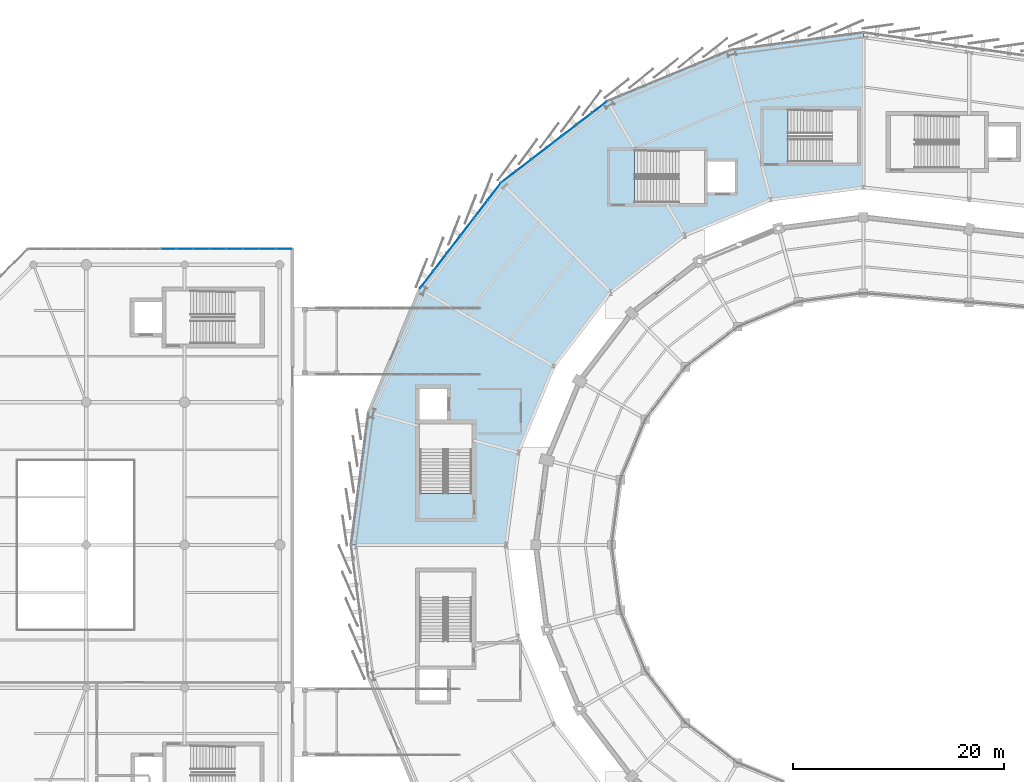
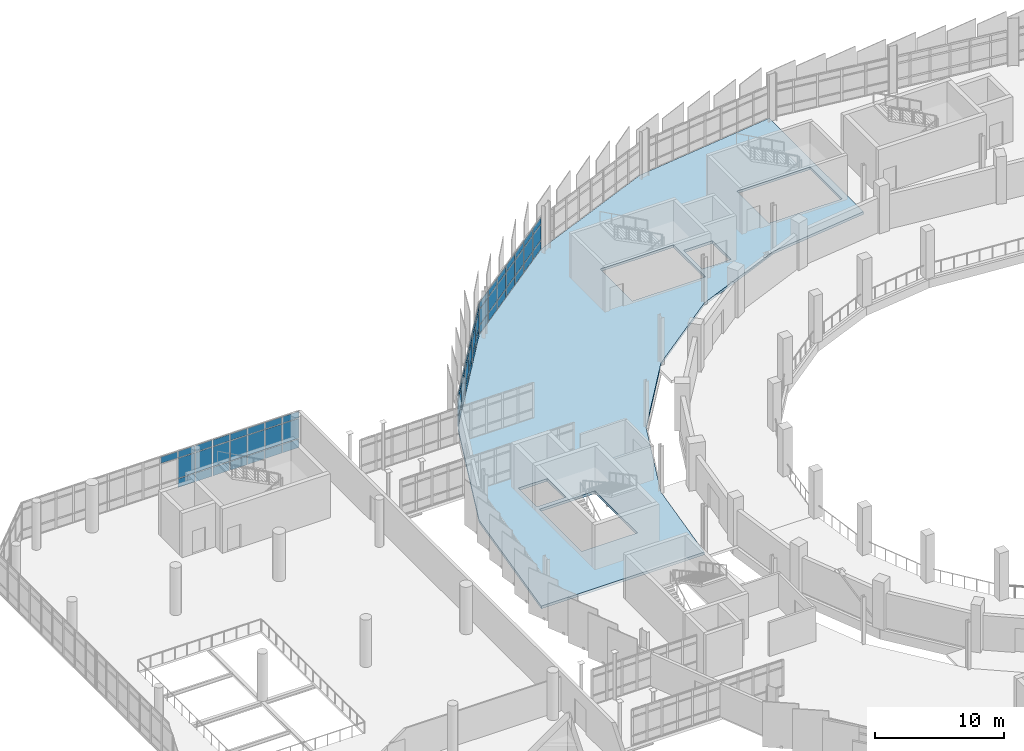
# One storey, part 89 of 125: 61 plates, 1 slab, 3 elements without a shape of their own.
"""IFC4 building model written with IfcOpenShell, lengths in metres."""

from ifc_helpers import new_model, si_unit, direction, frame, origin, origin_2d, place, context, subcontext, project, spatial, polyline, rectangle, outline, extrude, material, layer, layer_set, type_object, element, aggregate, save


model = new_model("IFC4")

# Units and contexts
model_context = context("Model", 3, precision=1e-05, world=origin(), true_north=direction((0.0, 1.0)))
body_context = subcontext(model_context, "Body", "Model", "MODEL_VIEW")
ifc_project = project(units=[si_unit("LENGTHUNIT", "METRE"), si_unit("AREAUNIT", "SQUARE_METRE"), si_unit("VOLUMEUNIT", "CUBIC_METRE"), si_unit("PLANEANGLEUNIT", "RADIAN"), si_unit("MASSUNIT", "GRAM", prefix="KILO")], contexts=[model_context])

# Site, building, storey
site_placement = place(None, origin())
site = spatial("IfcSite", under=ifc_project, at=site_placement, CompositionType="ELEMENT")
building_placement = place(site_placement, origin())
building = spatial("IfcBuilding", under=site, at=building_placement, Name="Sohan Crest Arena", CompositionType="ELEMENT")
storey_placement = place(building_placement, frame((0.0, 0.0, 9.0)))
storey = spatial("IfcBuildingStorey", under=building, at=storey_placement, Name="L02", CompositionType="ELEMENT", Elevation=9.0)

# Curtain wall, plates
ifc_material_1 = material(Name="Thermally broken anodised aluminium", Category="aluminium")
ifc_layer_1 = layer(ifc_material_1, 0.199951171875, Name="Thermally broken anodised aluminium")
ifc_layer_set_1 = layer_set([ifc_layer_1], Name="Thermally broken anodised aluminium")
curtain_wall_type_1 = type_object("IfcCurtainWallType", Name="ARC-CW02", PredefinedType="NOTDEFINED", material=ifc_layer_set_1)
curtain_wall_1_placement = place(storey_placement, origin())
curtain_wall_1 = element("IfcCurtainWall", 1, at=curtain_wall_1_placement, inside=storey, type_object=curtain_wall_type_1, Name="Unitised curtain wall CW-214", PredefinedType="NOTDEFINED")
ifc_material_2 = material(Name="Low-E double-glazed insulated glass", Category="glass")
ifc_layer_2 = layer(ifc_material_2, 0.028076171875, Name="Low-E double-glazed insulated glass")
ifc_layer_set_2 = layer_set([ifc_layer_2], Name="Low-E double-glazed insulated glass")
plate_type_1 = type_object("IfcPlateType", Name="ARC-CNP01", PredefinedType="CURTAIN_PANEL", material=ifc_layer_set_2)
plate_1_placement = place(storey_placement, frame((43.202392578125, 106.0, 0.06005859375), z_axis=(0.0, 0.0, 1.0), x_axis=(-1.0, 0.0, 0.0)))
plate_1 = element("IfcPlate", 2, at=plate_1_placement, type_object=plate_type_1, Name="CW-214 panel 1.1", PredefinedType="CURTAIN_PANEL", context=body_context, shape_type="SweptSolid", body=[
    extrude(rectangle(XDim=1.465087890625, YDim=0.028076171875, at=origin_2d()), origin(), (0.0, 0.0, 1.0), 0.81005859375),
])
plate_2_placement = place(storey_placement, frame((43.202392578125, 106.0, 0.93017578125), z_axis=(0.0, 0.0, 1.0), x_axis=(-1.0, 0.0, 0.0)))
plate_2 = element("IfcPlate", 3, at=plate_2_placement, type_object=plate_type_1, Name="CW-214 panel 1.2", PredefinedType="CURTAIN_PANEL", context=body_context, shape_type="SweptSolid", body=[
    extrude(rectangle(XDim=1.465087890625, YDim=0.028076171875, at=origin_2d()), origin(), (0.0, 0.0, 1.0), 1.889892578125),
])
plate_3_placement = place(storey_placement, frame((43.202392578125, 106.0, 2.8798828125), z_axis=(0.0, 0.0, 1.0), x_axis=(-1.0, 0.0, 0.0)))
plate_3 = element("IfcPlate", 4, at=plate_3_placement, type_object=plate_type_1, Name="CW-214 panel 1.3", PredefinedType="CURTAIN_PANEL", context=body_context, shape_type="SweptSolid", body=[
    extrude(rectangle(XDim=1.465087890625, YDim=0.028076171875, at=origin_2d()), origin(), (0.0, 0.0, 1.0), 0.610107421875),
])
plate_4_placement = place(storey_placement, frame((41.65625, 106.0, 0.06005859375), z_axis=(0.0, 0.0, 1.0), x_axis=(-1.0, 0.0, 0.0)))
plate_4 = element("IfcPlate", 5, at=plate_4_placement, type_object=plate_type_1, Name="CW-214 panel 2.1", PredefinedType="CURTAIN_PANEL", context=body_context, shape_type="SweptSolid", body=[
    extrude(rectangle(XDim=1.49755859375, YDim=0.028076171875, at=origin_2d()), origin(), (0.0, 0.0, 1.0), 0.81005859375),
])
plate_5_placement = place(storey_placement, frame((41.65625, 106.0, 0.93017578125), z_axis=(0.0, 0.0, 1.0), x_axis=(-1.0, 0.0, 0.0)))
plate_5 = element("IfcPlate", 6, at=plate_5_placement, type_object=plate_type_1, Name="CW-214 panel 2.2", PredefinedType="CURTAIN_PANEL", context=body_context, shape_type="SweptSolid", body=[
    extrude(rectangle(XDim=1.49755859375, YDim=0.028076171875, at=origin_2d()), origin(), (0.0, 0.0, 1.0), 1.889892578125),
])
plate_6_placement = place(storey_placement, frame((41.65625, 106.0, 2.8798828125), z_axis=(0.0, 0.0, 1.0), x_axis=(-1.0, 0.0, 0.0)))
plate_6 = element("IfcPlate", 7, at=plate_6_placement, type_object=plate_type_1, Name="CW-214 panel 2.3", PredefinedType="CURTAIN_PANEL", context=body_context, shape_type="SweptSolid", body=[
    extrude(rectangle(XDim=1.49755859375, YDim=0.028076171875, at=origin_2d()), origin(), (0.0, 0.0, 1.0), 0.610107421875),
])
plate_7_placement = place(storey_placement, frame((40.09375, 106.0, 0.06005859375), z_axis=(0.0, 0.0, 1.0), x_axis=(-1.0, 0.0, 0.0)))
plate_7 = element("IfcPlate", 8, at=plate_7_placement, type_object=plate_type_1, Name="CW-214 panel 3.1", PredefinedType="CURTAIN_PANEL", context=body_context, shape_type="SweptSolid", body=[
    extrude(rectangle(XDim=1.49755859375, YDim=0.028076171875, at=origin_2d()), origin(), (0.0, 0.0, 1.0), 0.81005859375),
])
plate_8_placement = place(storey_placement, frame((40.09375, 106.0, 0.93017578125), z_axis=(0.0, 0.0, 1.0), x_axis=(-1.0, 0.0, 0.0)))
plate_8 = element("IfcPlate", 9, at=plate_8_placement, type_object=plate_type_1, Name="CW-214 panel 3.2", PredefinedType="CURTAIN_PANEL", context=body_context, shape_type="SweptSolid", body=[
    extrude(rectangle(XDim=1.49755859375, YDim=0.028076171875, at=origin_2d()), origin(), (0.0, 0.0, 1.0), 1.889892578125),
])
plate_9_placement = place(storey_placement, frame((40.09375, 106.0, 2.8798828125), z_axis=(0.0, 0.0, 1.0), x_axis=(-1.0, 0.0, 0.0)))
plate_9 = element("IfcPlate", 10, at=plate_9_placement, type_object=plate_type_1, Name="CW-214 panel 3.3", PredefinedType="CURTAIN_PANEL", context=body_context, shape_type="SweptSolid", body=[
    extrude(rectangle(XDim=1.49755859375, YDim=0.028076171875, at=origin_2d()), origin(), (0.0, 0.0, 1.0), 0.610107421875),
])
plate_10_placement = place(storey_placement, frame((38.53125, 106.0, 0.06005859375), z_axis=(0.0, 0.0, 1.0), x_axis=(-1.0, 0.0, 0.0)))
plate_10 = element("IfcPlate", 11, at=plate_10_placement, type_object=plate_type_1, Name="CW-214 panel 4.1", PredefinedType="CURTAIN_PANEL", context=body_context, shape_type="SweptSolid", body=[
    extrude(rectangle(XDim=1.49755859375, YDim=0.028076171875, at=origin_2d()), origin(), (0.0, 0.0, 1.0), 0.81005859375),
])
plate_11_placement = place(storey_placement, frame((38.53125, 106.0, 0.93017578125), z_axis=(0.0, 0.0, 1.0), x_axis=(-1.0, 0.0, 0.0)))
plate_11 = element("IfcPlate", 12, at=plate_11_placement, type_object=plate_type_1, Name="CW-214 panel 4.2", PredefinedType="CURTAIN_PANEL", context=body_context, shape_type="SweptSolid", body=[
    extrude(rectangle(XDim=1.49755859375, YDim=0.028076171875, at=origin_2d()), origin(), (0.0, 0.0, 1.0), 1.889892578125),
])
plate_12_placement = place(storey_placement, frame((38.53125, 106.0, 2.8798828125), z_axis=(0.0, 0.0, 1.0), x_axis=(-1.0, 0.0, 0.0)))
plate_12 = element("IfcPlate", 13, at=plate_12_placement, type_object=plate_type_1, Name="CW-214 panel 4.3", PredefinedType="CURTAIN_PANEL", context=body_context, shape_type="SweptSolid", body=[
    extrude(rectangle(XDim=1.49755859375, YDim=0.028076171875, at=origin_2d()), origin(), (0.0, 0.0, 1.0), 0.610107421875),
])
plate_13_placement = place(storey_placement, frame((36.96875, 106.0, 0.06005859375), z_axis=(0.0, 0.0, 1.0), x_axis=(-1.0, 0.0, 0.0)))
plate_13 = element("IfcPlate", 14, at=plate_13_placement, type_object=plate_type_1, Name="CW-214 panel 5.1", PredefinedType="CURTAIN_PANEL", context=body_context, shape_type="SweptSolid", body=[
    extrude(rectangle(XDim=1.49755859375, YDim=0.028076171875, at=origin_2d()), origin(), (0.0, 0.0, 1.0), 0.81005859375),
])
plate_14_placement = place(storey_placement, frame((36.96875, 106.0, 0.93017578125), z_axis=(0.0, 0.0, 1.0), x_axis=(-1.0, 0.0, 0.0)))
plate_14 = element("IfcPlate", 15, at=plate_14_placement, type_object=plate_type_1, Name="CW-214 panel 5.2", PredefinedType="CURTAIN_PANEL", context=body_context, shape_type="SweptSolid", body=[
    extrude(rectangle(XDim=1.49755859375, YDim=0.028076171875, at=origin_2d()), origin(), (0.0, 0.0, 1.0), 1.889892578125),
])
plate_15_placement = place(storey_placement, frame((36.96875, 106.0, 2.8798828125), z_axis=(0.0, 0.0, 1.0), x_axis=(-1.0, 0.0, 0.0)))
plate_15 = element("IfcPlate", 16, at=plate_15_placement, type_object=plate_type_1, Name="CW-214 panel 5.3", PredefinedType="CURTAIN_PANEL", context=body_context, shape_type="SweptSolid", body=[
    extrude(rectangle(XDim=1.49755859375, YDim=0.028076171875, at=origin_2d()), origin(), (0.0, 0.0, 1.0), 0.610107421875),
])
plate_16_placement = place(storey_placement, frame((35.40625, 106.0, 0.06005859375), z_axis=(0.0, 0.0, 1.0), x_axis=(-1.0, 0.0, 0.0)))
plate_16 = element("IfcPlate", 17, at=plate_16_placement, type_object=plate_type_1, Name="CW-214 panel 6.1", PredefinedType="CURTAIN_PANEL", context=body_context, shape_type="SweptSolid", body=[
    extrude(rectangle(XDim=1.49755859375, YDim=0.028076171875, at=origin_2d()), origin(), (0.0, 0.0, 1.0), 0.81005859375),
])
plate_17_placement = place(storey_placement, frame((35.40625, 106.0, 0.93017578125), z_axis=(0.0, 0.0, 1.0), x_axis=(-1.0, 0.0, 0.0)))
plate_17 = element("IfcPlate", 18, at=plate_17_placement, type_object=plate_type_1, Name="CW-214 panel 6.2", PredefinedType="CURTAIN_PANEL", context=body_context, shape_type="SweptSolid", body=[
    extrude(rectangle(XDim=1.49755859375, YDim=0.028076171875, at=origin_2d()), origin(), (0.0, 0.0, 1.0), 1.889892578125),
])
plate_18_placement = place(storey_placement, frame((35.40625, 106.0, 2.8798828125), z_axis=(0.0, 0.0, 1.0), x_axis=(-1.0, 0.0, 0.0)))
plate_18 = element("IfcPlate", 19, at=plate_18_placement, type_object=plate_type_1, Name="CW-214 panel 6.3", PredefinedType="CURTAIN_PANEL", context=body_context, shape_type="SweptSolid", body=[
    extrude(rectangle(XDim=1.49755859375, YDim=0.028076171875, at=origin_2d()), origin(), (0.0, 0.0, 1.0), 0.610107421875),
])
plate_19_placement = place(storey_placement, frame((33.84375, 106.0, 0.06005859375), z_axis=(0.0, 0.0, 1.0), x_axis=(-1.0, 0.0, 0.0)))
plate_19 = element("IfcPlate", 20, at=plate_19_placement, type_object=plate_type_1, Name="CW-214 panel 7.1", PredefinedType="CURTAIN_PANEL", context=body_context, shape_type="SweptSolid", body=[
    extrude(rectangle(XDim=1.49755859375, YDim=0.028076171875, at=origin_2d()), origin(), (0.0, 0.0, 1.0), 0.81005859375),
])
plate_20_placement = place(storey_placement, frame((33.84375, 106.0, 0.93017578125), z_axis=(0.0, 0.0, 1.0), x_axis=(-1.0, 0.0, 0.0)))
plate_20 = element("IfcPlate", 21, at=plate_20_placement, type_object=plate_type_1, Name="CW-214 panel 7.2", PredefinedType="CURTAIN_PANEL", context=body_context, shape_type="SweptSolid", body=[
    extrude(rectangle(XDim=1.49755859375, YDim=0.028076171875, at=origin_2d()), origin(), (0.0, 0.0, 1.0), 1.889892578125),
])
plate_21_placement = place(storey_placement, frame((33.84375, 106.0, 2.8798828125), z_axis=(0.0, 0.0, 1.0), x_axis=(-1.0, 0.0, 0.0)))
plate_21 = element("IfcPlate", 22, at=plate_21_placement, type_object=plate_type_1, Name="CW-214 panel 7.3", PredefinedType="CURTAIN_PANEL", context=body_context, shape_type="SweptSolid", body=[
    extrude(rectangle(XDim=1.49755859375, YDim=0.028076171875, at=origin_2d()), origin(), (0.0, 0.0, 1.0), 0.610107421875),
])
plate_22_placement = place(storey_placement, frame((32.28125, 106.0, 2.8798828125), z_axis=(0.0, 0.0, 1.0), x_axis=(-1.0, 0.0, 0.0)))
plate_22 = element("IfcPlate", 23, at=plate_22_placement, type_object=plate_type_1, Name="CW-214 panel 8.3", PredefinedType="CURTAIN_PANEL", context=body_context, shape_type="SweptSolid", body=[
    extrude(rectangle(XDim=1.49755859375, YDim=0.028076171875, at=origin_2d()), origin(), (0.0, 0.0, 1.0), 0.610107421875),
])
aggregate(curtain_wall_1, [plate_1, plate_2, plate_3, plate_4, plate_5, plate_6, plate_7, plate_8, plate_9, plate_10, plate_11, plate_12, plate_13, plate_14, plate_15, plate_16, plate_17, plate_18, plate_19, plate_20, plate_21, plate_22])

ifc_layer_3 = layer(ifc_material_1, 0.219970703125, Name="Thermally broken anodised aluminium")
ifc_layer_set_3 = layer_set([ifc_layer_3], Name="Thermally broken anodised aluminium")
curtain_wall_type_2 = type_object("IfcCurtainWallType", Name="ARC-CW03", PredefinedType="NOTDEFINED", material=ifc_layer_set_3)
curtain_wall_2_placement = place(storey_placement, origin())
curtain_wall_2 = element("IfcCurtainWall", 24, at=curtain_wall_2_placement, inside=storey, type_object=curtain_wall_type_2, Name="Unitised curtain wall CW-052", PredefinedType="NOTDEFINED")
ifc_material_3 = material(Name="Ceramic-fritted solar-control insulated glass", Category="glass")
ifc_layer_4 = layer(ifc_material_3, 0.035888671875, Name="Ceramic-fritted solar-control insulated glass")
ifc_layer_set_4 = layer_set([ifc_layer_4], Name="Ceramic-fritted solar-control insulated glass")
plate_type_2 = type_object("IfcPlateType", Name="ARC-CNP03", PredefinedType="CURTAIN_PANEL", material=ifc_layer_set_4)
plate_23_placement = place(storey_placement, frame((73.04443359375, 119.3984375, 0.070068359375), z_axis=(0.0, 0.0, 1.0), x_axis=(-0.79332886296, -0.60879332716, 0.0)))
plate_23 = element("IfcPlate", 25, at=plate_23_placement, type_object=plate_type_2, Name="CW-052 panel 1.1", PredefinedType="CURTAIN_PANEL", context=body_context, shape_type="SweptSolid", body=[
    extrude(rectangle(XDim=1.701904296875, YDim=0.035888671875, at=origin_2d()), origin(), (0.0, 0.0, 1.0), 0.794921875),
])
plate_24_placement = place(storey_placement, frame((73.04443359375, 119.3984375, 0.93505859375), z_axis=(0.0, 0.0, 1.0), x_axis=(-0.79332886296, -0.60879332716, 0.0)))
plate_24 = element("IfcPlate", 26, at=plate_24_placement, type_object=plate_type_2, Name="CW-052 panel 1.2", PredefinedType="CURTAIN_PANEL", context=body_context, shape_type="SweptSolid", body=[
    extrude(rectangle(XDim=1.701904296875, YDim=0.035888671875, at=origin_2d()), origin(), (0.0, 0.0, 1.0), 1.449951171875),
])
plate_25_placement = place(storey_placement, frame((73.04443359375, 119.3984375, 2.455078125), z_axis=(0.0, 0.0, 1.0), x_axis=(-0.79332886296, -0.60879332716, 0.0)))
plate_25 = element("IfcPlate", 27, at=plate_25_placement, type_object=plate_type_2, Name="CW-052 panel 1.3", PredefinedType="CURTAIN_PANEL", context=body_context, shape_type="SweptSolid", body=[
    extrude(rectangle(XDim=1.701904296875, YDim=0.035888671875, at=origin_2d()), origin(), (0.0, 0.0, 1.0), 0.594970703125),
])
plate_26_placement = place(storey_placement, frame((71.624755859375, 118.30908203125, 0.070068359375), z_axis=(0.0, 0.0, 1.0), x_axis=(-0.79332886296, -0.60879332716, 0.0)))
plate_26 = element("IfcPlate", 28, at=plate_26_placement, type_object=plate_type_2, Name="CW-052 panel 2.1", PredefinedType="CURTAIN_PANEL", context=body_context, shape_type="SweptSolid", body=[
    extrude(rectangle(XDim=1.73681640625, YDim=0.035888671875, at=origin_2d()), origin(), (0.0, 0.0, 1.0), 0.794921875),
])
plate_27_placement = place(storey_placement, frame((71.624755859375, 118.30908203125, 0.93505859375), z_axis=(0.0, 0.0, 1.0), x_axis=(-0.79332886296, -0.60879332716, 0.0)))
plate_27 = element("IfcPlate", 29, at=plate_27_placement, type_object=plate_type_2, Name="CW-052 panel 2.2", PredefinedType="CURTAIN_PANEL", context=body_context, shape_type="SweptSolid", body=[
    extrude(rectangle(XDim=1.73681640625, YDim=0.035888671875, at=origin_2d()), origin(), (0.0, 0.0, 1.0), 1.449951171875),
])
plate_28_placement = place(storey_placement, frame((71.624755859375, 118.30908203125, 2.455078125), z_axis=(0.0, 0.0, 1.0), x_axis=(-0.79332886296, -0.60879332716, 0.0)))
plate_28 = element("IfcPlate", 30, at=plate_28_placement, type_object=plate_type_2, Name="CW-052 panel 2.3", PredefinedType="CURTAIN_PANEL", context=body_context, shape_type="SweptSolid", body=[
    extrude(rectangle(XDim=1.73681640625, YDim=0.035888671875, at=origin_2d()), origin(), (0.0, 0.0, 1.0), 0.594970703125),
])
plate_29_placement = place(storey_placement, frame((70.19140625, 117.208984375, 0.070068359375), z_axis=(0.0, 0.0, 1.0), x_axis=(-0.79332886296, -0.60879332716, 0.0)))
plate_29 = element("IfcPlate", 31, at=plate_29_placement, type_object=plate_type_2, Name="CW-052 panel 3.1", PredefinedType="CURTAIN_PANEL", context=body_context, shape_type="SweptSolid", body=[
    extrude(rectangle(XDim=1.73681640625, YDim=0.035888671875, at=origin_2d()), origin(), (0.0, 0.0, 1.0), 0.794921875),
])
plate_30_placement = place(storey_placement, frame((70.19140625, 117.208984375, 0.93505859375), z_axis=(0.0, 0.0, 1.0), x_axis=(-0.79332886296, -0.60879332716, 0.0)))
plate_30 = element("IfcPlate", 32, at=plate_30_placement, type_object=plate_type_2, Name="CW-052 panel 3.2", PredefinedType="CURTAIN_PANEL", context=body_context, shape_type="SweptSolid", body=[
    extrude(rectangle(XDim=1.73681640625, YDim=0.035888671875, at=origin_2d()), origin(), (0.0, 0.0, 1.0), 1.449951171875),
])
plate_31_placement = place(storey_placement, frame((70.19140625, 117.208984375, 2.455078125), z_axis=(0.0, 0.0, 1.0), x_axis=(-0.79332886296, -0.60879332716, 0.0)))
plate_31 = element("IfcPlate", 33, at=plate_31_placement, type_object=plate_type_2, Name="CW-052 panel 3.3", PredefinedType="CURTAIN_PANEL", context=body_context, shape_type="SweptSolid", body=[
    extrude(rectangle(XDim=1.73681640625, YDim=0.035888671875, at=origin_2d()), origin(), (0.0, 0.0, 1.0), 0.594970703125),
])
plate_32_placement = place(storey_placement, frame((68.758056640625, 116.10888671875, 0.070068359375), z_axis=(0.0, 0.0, 1.0), x_axis=(-0.79332886296, -0.60879332716, 0.0)))
plate_32 = element("IfcPlate", 34, at=plate_32_placement, type_object=plate_type_2, Name="CW-052 panel 4.1", PredefinedType="CURTAIN_PANEL", context=body_context, shape_type="SweptSolid", body=[
    extrude(rectangle(XDim=1.73681640625, YDim=0.035888671875, at=origin_2d()), origin(), (0.0, 0.0, 1.0), 0.794921875),
])
plate_33_placement = place(storey_placement, frame((68.758056640625, 116.10888671875, 0.93505859375), z_axis=(0.0, 0.0, 1.0), x_axis=(-0.79332886296, -0.60879332716, 0.0)))
plate_33 = element("IfcPlate", 35, at=plate_33_placement, type_object=plate_type_2, Name="CW-052 panel 4.2", PredefinedType="CURTAIN_PANEL", context=body_context, shape_type="SweptSolid", body=[
    extrude(rectangle(XDim=1.73681640625, YDim=0.035888671875, at=origin_2d()), origin(), (0.0, 0.0, 1.0), 1.449951171875),
])
plate_34_placement = place(storey_placement, frame((68.758056640625, 116.10888671875, 2.455078125), z_axis=(0.0, 0.0, 1.0), x_axis=(-0.79332886296, -0.60879332716, 0.0)))
plate_34 = element("IfcPlate", 36, at=plate_34_placement, type_object=plate_type_2, Name="CW-052 panel 4.3", PredefinedType="CURTAIN_PANEL", context=body_context, shape_type="SweptSolid", body=[
    extrude(rectangle(XDim=1.73681640625, YDim=0.035888671875, at=origin_2d()), origin(), (0.0, 0.0, 1.0), 0.594970703125),
])
plate_35_placement = place(storey_placement, frame((67.324462890625, 115.009033203125, 0.070068359375), z_axis=(0.0, 0.0, 1.0), x_axis=(-0.79332886296, -0.60879332716, 0.0)))
plate_35 = element("IfcPlate", 37, at=plate_35_placement, type_object=plate_type_2, Name="CW-052 panel 5.1", PredefinedType="CURTAIN_PANEL", context=body_context, shape_type="SweptSolid", body=[
    extrude(rectangle(XDim=1.73681640625, YDim=0.035888671875, at=origin_2d()), origin(), (0.0, 0.0, 1.0), 0.794921875),
])
plate_36_placement = place(storey_placement, frame((67.324462890625, 115.009033203125, 0.93505859375), z_axis=(0.0, 0.0, 1.0), x_axis=(-0.79332886296, -0.60879332716, 0.0)))
plate_36 = element("IfcPlate", 38, at=plate_36_placement, type_object=plate_type_2, Name="CW-052 panel 5.2", PredefinedType="CURTAIN_PANEL", context=body_context, shape_type="SweptSolid", body=[
    extrude(rectangle(XDim=1.73681640625, YDim=0.035888671875, at=origin_2d()), origin(), (0.0, 0.0, 1.0), 1.449951171875),
])
plate_37_placement = place(storey_placement, frame((67.324462890625, 115.009033203125, 2.455078125), z_axis=(0.0, 0.0, 1.0), x_axis=(-0.79332886296, -0.60879332716, 0.0)))
plate_37 = element("IfcPlate", 39, at=plate_37_placement, type_object=plate_type_2, Name="CW-052 panel 5.3", PredefinedType="CURTAIN_PANEL", context=body_context, shape_type="SweptSolid", body=[
    extrude(rectangle(XDim=1.73681640625, YDim=0.035888671875, at=origin_2d()), origin(), (0.0, 0.0, 1.0), 0.594970703125),
])
plate_38_placement = place(storey_placement, frame((65.89111328125, 113.908935546875, 0.070068359375), z_axis=(0.0, 0.0, 1.0), x_axis=(-0.79332886296, -0.60879332716, 0.0)))
plate_38 = element("IfcPlate", 40, at=plate_38_placement, type_object=plate_type_2, Name="CW-052 panel 6.1", PredefinedType="CURTAIN_PANEL", context=body_context, shape_type="SweptSolid", body=[
    extrude(rectangle(XDim=1.73681640625, YDim=0.035888671875, at=origin_2d()), origin(), (0.0, 0.0, 1.0), 0.794921875),
])
plate_39_placement = place(storey_placement, frame((65.89111328125, 113.908935546875, 0.93505859375), z_axis=(0.0, 0.0, 1.0), x_axis=(-0.79332886296, -0.60879332716, 0.0)))
plate_39 = element("IfcPlate", 41, at=plate_39_placement, type_object=plate_type_2, Name="CW-052 panel 6.2", PredefinedType="CURTAIN_PANEL", context=body_context, shape_type="SweptSolid", body=[
    extrude(rectangle(XDim=1.73681640625, YDim=0.035888671875, at=origin_2d()), origin(), (0.0, 0.0, 1.0), 1.449951171875),
])
plate_40_placement = place(storey_placement, frame((65.89111328125, 113.908935546875, 2.455078125), z_axis=(0.0, 0.0, 1.0), x_axis=(-0.79332886296, -0.60879332716, 0.0)))
plate_40 = element("IfcPlate", 42, at=plate_40_placement, type_object=plate_type_2, Name="CW-052 panel 6.3", PredefinedType="CURTAIN_PANEL", context=body_context, shape_type="SweptSolid", body=[
    extrude(rectangle(XDim=1.73681640625, YDim=0.035888671875, at=origin_2d()), origin(), (0.0, 0.0, 1.0), 0.594970703125),
])
plate_41_placement = place(storey_placement, frame((64.4716796875, 112.819580078125, 0.070068359375), z_axis=(0.0, 0.0, 1.0), x_axis=(-0.79332886296, -0.60879332716, 0.0)))
plate_41 = element("IfcPlate", 43, at=plate_41_placement, type_object=plate_type_2, Name="CW-052 panel 7.1", PredefinedType="CURTAIN_PANEL", context=body_context, shape_type="SweptSolid", body=[
    extrude(rectangle(XDim=1.701904296875, YDim=0.035888671875, at=origin_2d()), origin(), (0.0, 0.0, 1.0), 0.794921875),
])
plate_42_placement = place(storey_placement, frame((64.4716796875, 112.819580078125, 0.93505859375), z_axis=(0.0, 0.0, 1.0), x_axis=(-0.79332886296, -0.60879332716, 0.0)))
plate_42 = element("IfcPlate", 44, at=plate_42_placement, type_object=plate_type_2, Name="CW-052 panel 7.2", PredefinedType="CURTAIN_PANEL", context=body_context, shape_type="SweptSolid", body=[
    extrude(rectangle(XDim=1.701904296875, YDim=0.035888671875, at=origin_2d()), origin(), (0.0, 0.0, 1.0), 1.449951171875),
])
plate_43_placement = place(storey_placement, frame((64.4716796875, 112.819580078125, 2.455078125), z_axis=(0.0, 0.0, 1.0), x_axis=(-0.79332886296, -0.60879332716, 0.0)))
plate_43 = element("IfcPlate", 45, at=plate_43_placement, type_object=plate_type_2, Name="CW-052 panel 7.3", PredefinedType="CURTAIN_PANEL", context=body_context, shape_type="SweptSolid", body=[
    extrude(rectangle(XDim=1.701904296875, YDim=0.035888671875, at=origin_2d()), origin(), (0.0, 0.0, 1.0), 0.594970703125),
])
aggregate(curtain_wall_2, [plate_23, plate_24, plate_25, plate_26, plate_27, plate_28, plate_29, plate_30, plate_31, plate_32, plate_33, plate_34, plate_35, plate_36, plate_37, plate_38, plate_39, plate_40, plate_41, plate_42, plate_43])

ifc_layer_5 = layer(ifc_material_1, 0.239990234375, Name="Thermally broken anodised aluminium")
ifc_layer_set_5 = layer_set([ifc_layer_5], Name="Thermally broken anodised aluminium")
curtain_wall_type_3 = type_object("IfcCurtainWallType", Name="ARC-CW04", PredefinedType="NOTDEFINED", material=ifc_layer_set_5)
curtain_wall_3_placement = place(storey_placement, origin())
curtain_wall_3 = element("IfcCurtainWall", 46, at=curtain_wall_3_placement, inside=storey, type_object=curtain_wall_type_3, Name="Unitised curtain wall CW-053", PredefinedType="NOTDEFINED")
ifc_material_4 = material(Name="Insulated polychrome ceramic spandrel panel", Category="masonry")
ifc_layer_6 = layer(ifc_material_4, 0.0419921875, Name="Insulated polychrome ceramic spandrel panel")
ifc_layer_set_6 = layer_set([ifc_layer_6], Name="Insulated polychrome ceramic spandrel panel")
plate_type_3 = type_object("IfcPlateType", Name="ARC-CNP04", PredefinedType="CURTAIN_PANEL", material=ifc_layer_set_6)
plate_44_placement = place(storey_placement, frame((63.087890625, 111.407958984375, 0.06005859375), z_axis=(0.0, 0.0, 1.0), x_axis=(-0.60879332716, -0.79332886296, 0.0)))
plate_44 = element("IfcPlate", 47, at=plate_44_placement, type_object=plate_type_3, Name="CW-053 panel 1.1", PredefinedType="CURTAIN_PANEL", context=body_context, shape_type="SweptSolid", body=[
    extrude(rectangle(XDim=1.99560546875, YDim=0.0419921875, at=origin_2d()), origin(), (0.0, 0.0, 1.0), 0.81005859375),
])
plate_45_placement = place(storey_placement, frame((63.087890625, 111.407958984375, 0.929931640625), z_axis=(0.0, 0.0, 1.0), x_axis=(-0.60879332716, -0.79332886296, 0.0)))
plate_45 = element("IfcPlate", 48, at=plate_45_placement, type_object=plate_type_3, Name="CW-053 panel 1.2", PredefinedType="CURTAIN_PANEL", context=body_context, shape_type="SweptSolid", body=[
    extrude(rectangle(XDim=1.99560546875, YDim=0.0419921875, at=origin_2d()), origin(), (0.0, 0.0, 1.0), 1.4599609375),
])
plate_46_placement = place(storey_placement, frame((63.087890625, 111.407958984375, 2.44970703125), z_axis=(0.0, 0.0, 1.0), x_axis=(-0.60879332716, -0.79332886296, 0.0)))
plate_46 = element("IfcPlate", 49, at=plate_46_placement, type_object=plate_type_3, Name="CW-053 panel 1.3", PredefinedType="CURTAIN_PANEL", context=body_context, shape_type="SweptSolid", body=[
    extrude(rectangle(XDim=1.99560546875, YDim=0.0419921875, at=origin_2d()), origin(), (0.0, 0.0, 1.0), 0.610107421875),
])
plate_47_placement = place(storey_placement, frame((61.81591796875, 109.75048828125, 0.06005859375), z_axis=(0.0, 0.0, 1.0), x_axis=(-0.60879332716, -0.79332886296, 0.0)))
plate_47 = element("IfcPlate", 50, at=plate_47_placement, type_object=plate_type_3, Name="CW-053 panel 2.1", PredefinedType="CURTAIN_PANEL", context=body_context, shape_type="SweptSolid", body=[
    extrude(rectangle(XDim=2.032958984375, YDim=0.0419921875, at=origin_2d()), origin(), (0.0, 0.0, 1.0), 0.81005859375),
])
plate_48_placement = place(storey_placement, frame((61.81591796875, 109.75048828125, 0.929931640625), z_axis=(0.0, 0.0, 1.0), x_axis=(-0.60879332716, -0.79332886296, 0.0)))
plate_48 = element("IfcPlate", 51, at=plate_48_placement, type_object=plate_type_3, Name="CW-053 panel 2.2", PredefinedType="CURTAIN_PANEL", context=body_context, shape_type="SweptSolid", body=[
    extrude(rectangle(XDim=2.032958984375, YDim=0.0419921875, at=origin_2d()), origin(), (0.0, 0.0, 1.0), 1.4599609375),
])
plate_49_placement = place(storey_placement, frame((61.81591796875, 109.75048828125, 2.44970703125), z_axis=(0.0, 0.0, 1.0), x_axis=(-0.60879332716, -0.79332886296, 0.0)))
plate_49 = element("IfcPlate", 52, at=plate_49_placement, type_object=plate_type_3, Name="CW-053 panel 2.3", PredefinedType="CURTAIN_PANEL", context=body_context, shape_type="SweptSolid", body=[
    extrude(rectangle(XDim=2.032958984375, YDim=0.0419921875, at=origin_2d()), origin(), (0.0, 0.0, 1.0), 0.610107421875),
])
plate_50_placement = place(storey_placement, frame((60.53271484375, 108.078125, 0.06005859375), z_axis=(0.0, 0.0, 1.0), x_axis=(-0.60879332716, -0.79332886296, 0.0)))
plate_50 = element("IfcPlate", 53, at=plate_50_placement, type_object=plate_type_3, Name="CW-053 panel 3.1", PredefinedType="CURTAIN_PANEL", context=body_context, shape_type="SweptSolid", body=[
    extrude(rectangle(XDim=2.032958984375, YDim=0.0419921875, at=origin_2d()), origin(), (0.0, 0.0, 1.0), 0.81005859375),
])
plate_51_placement = place(storey_placement, frame((60.53271484375, 108.078125, 0.929931640625), z_axis=(0.0, 0.0, 1.0), x_axis=(-0.60879332716, -0.79332886296, 0.0)))
plate_51 = element("IfcPlate", 54, at=plate_51_placement, type_object=plate_type_3, Name="CW-053 panel 3.2", PredefinedType="CURTAIN_PANEL", context=body_context, shape_type="SweptSolid", body=[
    extrude(rectangle(XDim=2.032958984375, YDim=0.0419921875, at=origin_2d()), origin(), (0.0, 0.0, 1.0), 1.4599609375),
])
plate_52_placement = place(storey_placement, frame((60.53271484375, 108.078125, 2.44970703125), z_axis=(0.0, 0.0, 1.0), x_axis=(-0.60879332716, -0.79332886296, 0.0)))
plate_52 = element("IfcPlate", 55, at=plate_52_placement, type_object=plate_type_3, Name="CW-053 panel 3.3", PredefinedType="CURTAIN_PANEL", context=body_context, shape_type="SweptSolid", body=[
    extrude(rectangle(XDim=2.032958984375, YDim=0.0419921875, at=origin_2d()), origin(), (0.0, 0.0, 1.0), 0.610107421875),
])
plate_53_placement = place(storey_placement, frame((59.249267578125, 106.40576171875, 0.06005859375), z_axis=(0.0, 0.0, 1.0), x_axis=(-0.60879332716, -0.79332886296, 0.0)))
plate_53 = element("IfcPlate", 56, at=plate_53_placement, type_object=plate_type_3, Name="CW-053 panel 4.1", PredefinedType="CURTAIN_PANEL", context=body_context, shape_type="SweptSolid", body=[
    extrude(rectangle(XDim=2.032958984375, YDim=0.0419921875, at=origin_2d()), origin(), (0.0, 0.0, 1.0), 0.81005859375),
])
plate_54_placement = place(storey_placement, frame((59.249267578125, 106.40576171875, 0.929931640625), z_axis=(0.0, 0.0, 1.0), x_axis=(-0.60879332716, -0.79332886296, 0.0)))
plate_54 = element("IfcPlate", 57, at=plate_54_placement, type_object=plate_type_3, Name="CW-053 panel 4.2", PredefinedType="CURTAIN_PANEL", context=body_context, shape_type="SweptSolid", body=[
    extrude(rectangle(XDim=2.032958984375, YDim=0.0419921875, at=origin_2d()), origin(), (0.0, 0.0, 1.0), 1.4599609375),
])
plate_55_placement = place(storey_placement, frame((59.249267578125, 106.40576171875, 2.44970703125), z_axis=(0.0, 0.0, 1.0), x_axis=(-0.60879332716, -0.79332886296, 0.0)))
plate_55 = element("IfcPlate", 58, at=plate_55_placement, type_object=plate_type_3, Name="CW-053 panel 4.3", PredefinedType="CURTAIN_PANEL", context=body_context, shape_type="SweptSolid", body=[
    extrude(rectangle(XDim=2.032958984375, YDim=0.0419921875, at=origin_2d()), origin(), (0.0, 0.0, 1.0), 0.610107421875),
])
plate_56_placement = place(storey_placement, frame((57.966064453125, 104.7333984375, 0.06005859375), z_axis=(0.0, 0.0, 1.0), x_axis=(-0.60879332716, -0.79332886296, 0.0)))
plate_56 = element("IfcPlate", 59, at=plate_56_placement, type_object=plate_type_3, Name="CW-053 panel 5.1", PredefinedType="CURTAIN_PANEL", context=body_context, shape_type="SweptSolid", body=[
    extrude(rectangle(XDim=2.032958984375, YDim=0.0419921875, at=origin_2d()), origin(), (0.0, 0.0, 1.0), 0.81005859375),
])
plate_57_placement = place(storey_placement, frame((57.966064453125, 104.7333984375, 0.929931640625), z_axis=(0.0, 0.0, 1.0), x_axis=(-0.60879332716, -0.79332886296, 0.0)))
plate_57 = element("IfcPlate", 60, at=plate_57_placement, type_object=plate_type_3, Name="CW-053 panel 5.2", PredefinedType="CURTAIN_PANEL", context=body_context, shape_type="SweptSolid", body=[
    extrude(rectangle(XDim=2.032958984375, YDim=0.0419921875, at=origin_2d()), origin(), (0.0, 0.0, 1.0), 1.4599609375),
])
plate_58_placement = place(storey_placement, frame((57.966064453125, 104.7333984375, 2.44970703125), z_axis=(0.0, 0.0, 1.0), x_axis=(-0.60879332716, -0.79332886296, 0.0)))
plate_58 = element("IfcPlate", 61, at=plate_58_placement, type_object=plate_type_3, Name="CW-053 panel 5.3", PredefinedType="CURTAIN_PANEL", context=body_context, shape_type="SweptSolid", body=[
    extrude(rectangle(XDim=2.032958984375, YDim=0.0419921875, at=origin_2d()), origin(), (0.0, 0.0, 1.0), 0.610107421875),
])
plate_59_placement = place(storey_placement, frame((56.694091796875, 103.075927734375, 0.06005859375), z_axis=(0.0, 0.0, 1.0), x_axis=(-0.60879332716, -0.79332886296, 0.0)))
plate_59 = element("IfcPlate", 62, at=plate_59_placement, type_object=plate_type_3, Name="CW-053 panel 6.1", PredefinedType="CURTAIN_PANEL", context=body_context, shape_type="SweptSolid", body=[
    extrude(rectangle(XDim=1.99560546875, YDim=0.0419921875, at=origin_2d()), origin(), (0.0, 0.0, 1.0), 0.81005859375),
])
plate_60_placement = place(storey_placement, frame((56.694091796875, 103.075927734375, 0.929931640625), z_axis=(0.0, 0.0, 1.0), x_axis=(-0.60879332716, -0.79332886296, 0.0)))
plate_60 = element("IfcPlate", 63, at=plate_60_placement, type_object=plate_type_3, Name="CW-053 panel 6.2", PredefinedType="CURTAIN_PANEL", context=body_context, shape_type="SweptSolid", body=[
    extrude(rectangle(XDim=1.99560546875, YDim=0.0419921875, at=origin_2d()), origin(), (0.0, 0.0, 1.0), 1.4599609375),
])
plate_61_placement = place(storey_placement, frame((56.694091796875, 103.075927734375, 2.44970703125), z_axis=(0.0, 0.0, 1.0), x_axis=(-0.60879332716, -0.79332886296, 0.0)))
plate_61 = element("IfcPlate", 64, at=plate_61_placement, type_object=plate_type_3, Name="CW-053 panel 6.3", PredefinedType="CURTAIN_PANEL", context=body_context, shape_type="SweptSolid", body=[
    extrude(rectangle(XDim=1.99560546875, YDim=0.0419921875, at=origin_2d()), origin(), (0.0, 0.0, 1.0), 0.610107421875),
])
aggregate(curtain_wall_3, [plate_44, plate_45, plate_46, plate_47, plate_48, plate_49, plate_50, plate_51, plate_52, plate_53, plate_54, plate_55, plate_56, plate_57, plate_58, plate_59, plate_60, plate_61])

# Slab
ifc_material_5 = material(Name="Concrete C40/50", Category="concrete")
ifc_layer_7 = layer(ifc_material_5, 0.25, Name="Concrete C40/50")
ifc_layer_set_7 = layer_set([ifc_layer_7], Name="Concrete C40/50")
slab_type = type_object("IfcSlabType", Name="SL-FLR3", PredefinedType="FLOOR", material=ifc_layer_set_7)
slab_placement = place(storey_placement, frame((0.0, 0.0, -0.25)))
element("IfcSlab", 65, at=slab_placement, inside=storey, type_object=slab_type, Name="Concourse ring L02 sector 1 SL-L02-V2S1", PredefinedType="FLOOR", context=body_context, shape_type="SweptSolid", body=[
    extrude(outline(polyline([(51.200927734375, 90.5400390625), (56.041015625, 102.22509765625), (63.740966796875, 112.259033203125), (73.77490234375, 119.958984375), (85.4599609375, 124.799072265625), (98.0, 126.449951171875), (98.0, 111.800048828125), (89.251953125, 110.64794921875), (81.10009765625, 107.27197265625), (74.10009765625, 101.89990234375), (68.72802734375, 94.89990234375), (65.35205078125, 86.748046875), (64.199951171875, 78.0), (49.550048828125, 78.0), (51.200927734375, 90.5400390625)]), holes=[polyline([(56.0, 82.8701171875), (61.0, 82.8701171875), (61.0, 89.449951171875), (56.0, 89.449951171875), (56.0, 82.8701171875)]), polyline([(56.0, 92.75), (56.0, 89.85009765625), (58.60009765625, 89.85009765625), (58.60009765625, 92.75), (56.0, 92.75)]), polyline([(76.3701171875, 110.300048828125), (82.949951171875, 110.300048828125), (82.949951171875, 115.300048828125), (76.3701171875, 115.300048828125), (76.3701171875, 110.300048828125)]), polyline([(83.25, 114.25), (83.25, 111.35009765625), (85.85009765625, 111.35009765625), (85.85009765625, 114.25), (83.25, 114.25)]), polyline([(97.449951171875, 114.139892578125), (97.449951171875, 119.139892578125), (90.8701171875, 119.139892578125), (90.8701171875, 114.139892578125), (97.449951171875, 114.139892578125)])]), origin(), (0.0, 0.0, 1.0), 0.25),
])

save(model, "model.ifc")
